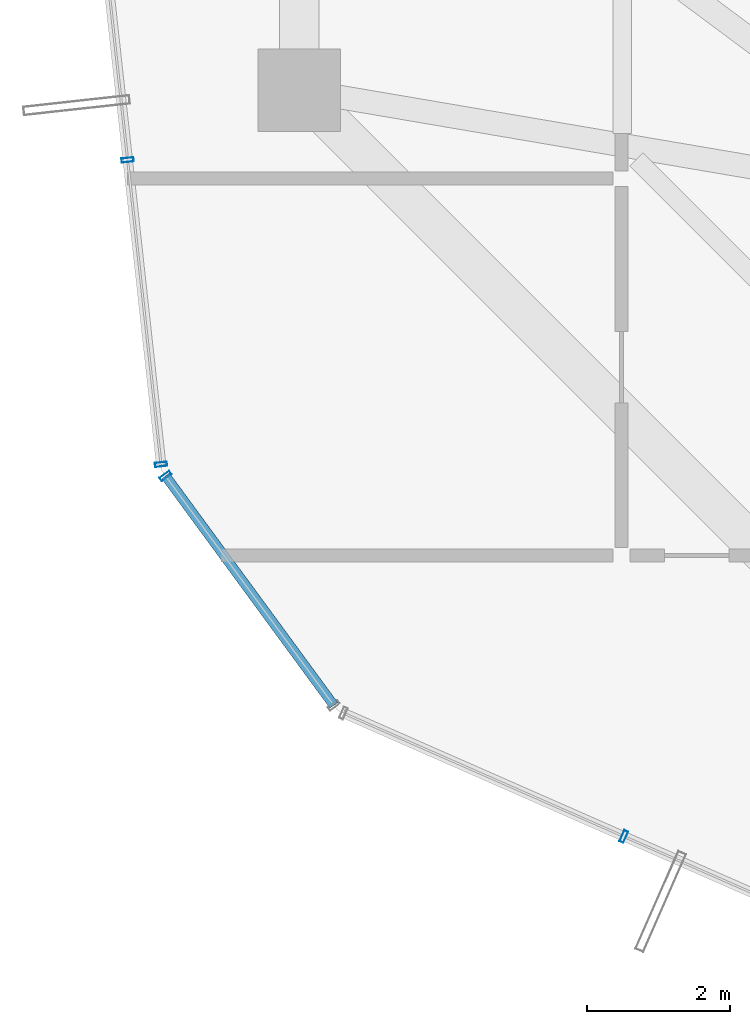
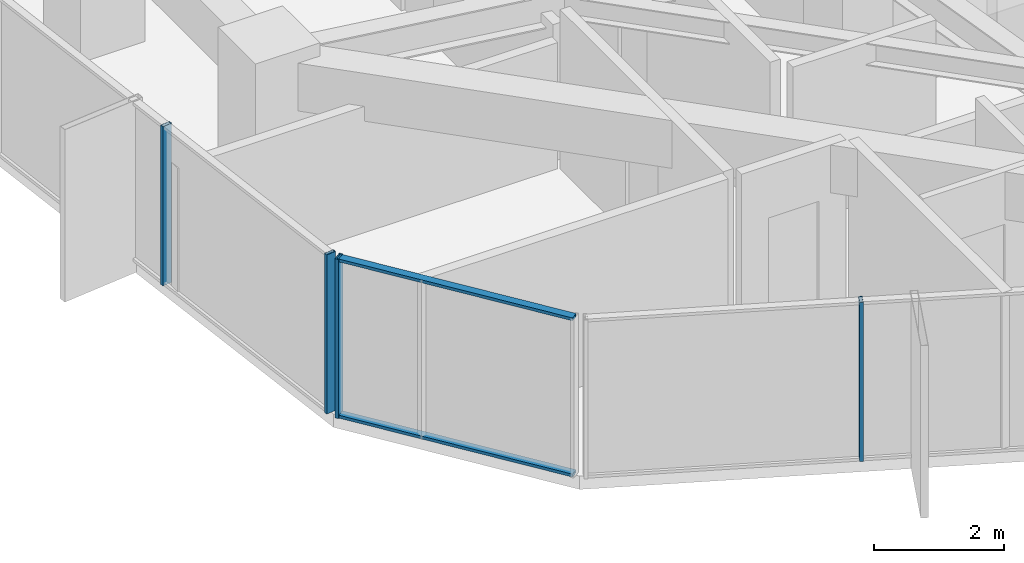
# One storey, part 4 of 34: 6 members, 3 elements without a shape of their own.
"""IFC4 building model written with IfcOpenShell, lengths in metres."""

from ifc_helpers import new_model, si_unit, direction, frame, origin, origin_2d, place, context, subcontext, project, spatial, hollow_rectangle, extrude, source, transform, mapped, material, layer, layer_set, material_profile, profile_set, type_object, element, aggregate, save


model = new_model("IFC4")

# Units and contexts
model_context = context("Model", 3, precision=1e-05, world=origin(), true_north=direction((0.0, 1.0)))
body_context = subcontext(model_context, "Body", "Model", "MODEL_VIEW")
ifc_project = project(units=[si_unit("LENGTHUNIT", "METRE"), si_unit("AREAUNIT", "SQUARE_METRE"), si_unit("VOLUMEUNIT", "CUBIC_METRE"), si_unit("PLANEANGLEUNIT", "RADIAN"), si_unit("MASSUNIT", "GRAM", prefix="KILO")], contexts=[model_context])

# Site, building, storey
site_placement = place(None, origin())
site = spatial("IfcSite", under=ifc_project, at=site_placement, CompositionType="ELEMENT")
building_placement = place(site_placement, origin())
building = spatial("IfcBuilding", under=site, at=building_placement, Name="Veraguas Prism Commons", CompositionType="ELEMENT")
storey_placement = place(building_placement, frame((0.0, 0.0, 149.0)))
storey = spatial("IfcBuildingStorey", under=building, at=storey_placement, Name="L42", CompositionType="ELEMENT", Elevation=149.0)

# Curtain wall, members
ifc_material = material(Name="Anodised aluminium EN AW-6063 T6", Category="aluminium")
ifc_layer = layer(ifc_material, 0.169921875, Name="Unitised Flush Curtain Wall Zone 2", Category="aluminium")
ifc_layer_set = layer_set([ifc_layer], Name="Anodised aluminium EN AW-6063 T6")
curtain_wall_type = type_object("IfcCurtainWallType", Name="Unitised Flush Curtain Wall Zone 2", PredefinedType="NOTDEFINED", material=ifc_layer_set)
curtain_wall_1_placement = place(storey_placement, origin())
curtain_wall_1 = element("IfcCurtainWall", 1, at=curtain_wall_1_placement, inside=storey, type_object=curtain_wall_type, Name="Tower Facade Curtain Wall L42-F3", PredefinedType="NOTDEFINED")
ifc_material_profile_1 = material_profile(ifc_material, hollow_rectangle(XDim=0.06005859375, YDim=0.169921875, WallThickness=0.00390625, at=origin_2d()), Name="AL60X170X4")
ifc_profile_set_1 = profile_set([ifc_material_profile_1], Name="Anodised aluminium EN AW-6063 T6")
member_type_1 = type_object("IfcMemberType", Name="Curtain Wall Mullion Lower AL 60x170x4", PredefinedType="MULLION", material=ifc_profile_set_1)
shared_shape_1 = source(origin(), body_context, "Body", "SweptSolid", [
    extrude(hollow_rectangle(XDim=0.06005859375, YDim=0.169921875, WallThickness=0.00390625, at=origin_2d()), origin(), (0.0, 0.0, 1.0), 3.0),
])
member_1_placement = place(storey_placement, frame((5.40185546875, 17.62548828125, 0.0), z_axis=(0.0, 0.0, 1.0), x_axis=(0.109043838598, -0.994036941599, 0.0)))
member_1 = element("IfcMember", 2, at=member_1_placement, type_object=member_type_1, Name="CW-Z2 Mullion 4", PredefinedType="MULLION", context=body_context, shape_type="MappedRepresentation", body=[
    mapped(shared_shape_1, transform((0.0, 0.0, 0.0), scale=1.0)),
])
member_2_placement = place(storey_placement, frame((5.868408203125, 13.372314453125, 0.0), z_axis=(0.0, 0.0, 1.0), x_axis=(0.109043838598, -0.994036941599, 0.0)))
member_2 = element("IfcMember", 3, at=member_2_placement, type_object=member_type_1, Name="CW-Z2 Mullion 5", PredefinedType="MULLION", context=body_context, shape_type="MappedRepresentation", body=[
    mapped(shared_shape_1, transform((0.0, 0.0, 0.0), scale=1.0)),
])
aggregate(curtain_wall_1, [member_1, member_2])

# Curtain wall, member
curtain_wall_2_placement = place(storey_placement, origin())
curtain_wall_2 = element("IfcCurtainWall", 4, at=curtain_wall_2_placement, inside=storey, type_object=curtain_wall_type, Name="Tower Facade Curtain Wall L42-F4", PredefinedType="NOTDEFINED")
member_3_placement = place(storey_placement, frame((12.333251953125, 8.17529296875, 0.0), z_axis=(0.0, 0.0, 1.0), x_axis=(0.915385270935, -0.402578943507, 0.0)))
member_3 = element("IfcMember", 5, at=member_3_placement, type_object=member_type_1, Name="CW-Z2 Mullion 2", PredefinedType="MULLION", context=body_context, shape_type="MappedRepresentation", body=[
    mapped(shared_shape_1, transform((0.0, 0.0, 0.0), scale=1.0)),
])
aggregate(curtain_wall_2, [member_3])

# Curtain wall, members
curtain_wall_3_placement = place(storey_placement, origin())
curtain_wall_3 = element("IfcCurtainWall", 6, at=curtain_wall_3_placement, inside=storey, type_object=curtain_wall_type, Name="Chamfer Curtain Wall L42-C4", PredefinedType="NOTDEFINED")
member_4_placement = place(storey_placement, frame((5.931396484375, 13.210205078125, 0.0), z_axis=(0.0, 0.0, 1.0), x_axis=(0.591432095034, -0.806354808359, 0.0)))
member_4 = element("IfcMember", 7, at=member_4_placement, type_object=member_type_1, Name="CW-Z2 Mullion 1", PredefinedType="MULLION", context=body_context, shape_type="MappedRepresentation", body=[
    mapped(shared_shape_1, transform((0.0, 0.0, 0.0), scale=1.0)),
])
ifc_material_profile_2 = material_profile(ifc_material, hollow_rectangle(XDim=0.054931640625, YDim=0.135009765625, WallThickness=0.0029296875, at=origin_2d()), Name="AL55X135X3")
ifc_profile_set_2 = profile_set([ifc_material_profile_2], Name="Anodised aluminium EN AW-6063 T6")
member_type_2 = type_object("IfcMemberType", Name="Curtain Wall Transom Standard AL 55x135x3", PredefinedType="USERDEFINED", material=ifc_profile_set_2)
shared_shape_2 = source(origin(), body_context, "Body", "SweptSolid", [
    extrude(hollow_rectangle(XDim=0.054931640625, YDim=0.135009765625, WallThickness=0.0029296875, at=origin_2d()), origin(), (0.0, 0.0, 1.0), 3.97314453125),
])
member_5_placement = place(storey_placement, frame((5.931396484375, 13.210205078125, 0.027587890625), z_axis=(0.59145157199, -0.806340522354, 0.0), x_axis=(0.0, 0.0, 1.0)))
member_5 = element("IfcMember", 8, at=member_5_placement, type_object=member_type_2, Name="CW-Z2 Transom 1", ObjectType="TRANSOM", PredefinedType="USERDEFINED", context=body_context, shape_type="MappedRepresentation", body=[
    mapped(shared_shape_2, transform((0.0, 0.0, 0.0), scale=1.0)),
])
member_6_placement = place(storey_placement, frame((5.931396484375, 13.210205078125, 2.972412109375), z_axis=(0.59145157199, -0.806340522354, 0.0), x_axis=(0.0, 0.0, 1.0)))
member_6 = element("IfcMember", 9, at=member_6_placement, type_object=member_type_2, Name="CW-Z2 Transom 2", ObjectType="TRANSOM", PredefinedType="USERDEFINED", context=body_context, shape_type="MappedRepresentation", body=[
    mapped(shared_shape_2, transform((0.0, 0.0, 0.0), scale=1.0)),
])
aggregate(curtain_wall_3, [member_4, member_5, member_6])

save(model, "model.ifc")
